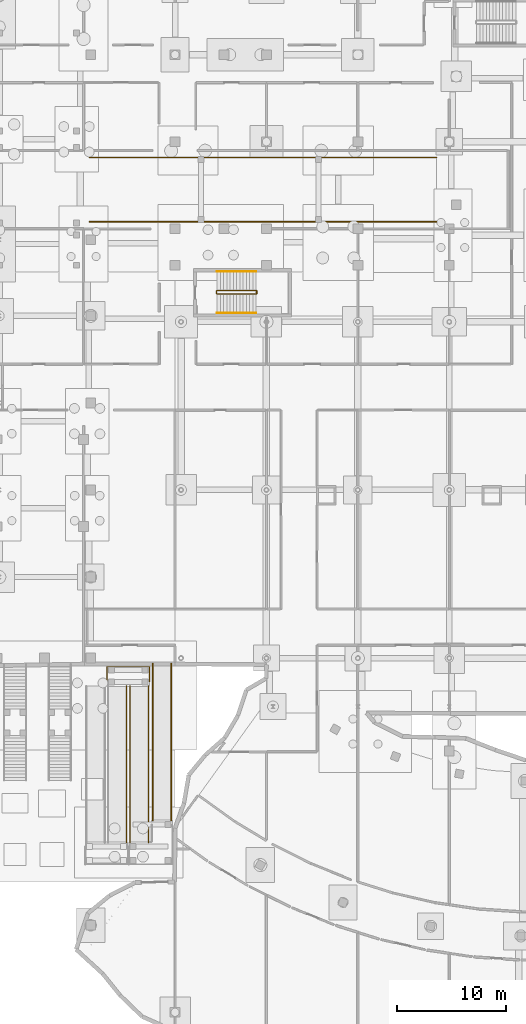
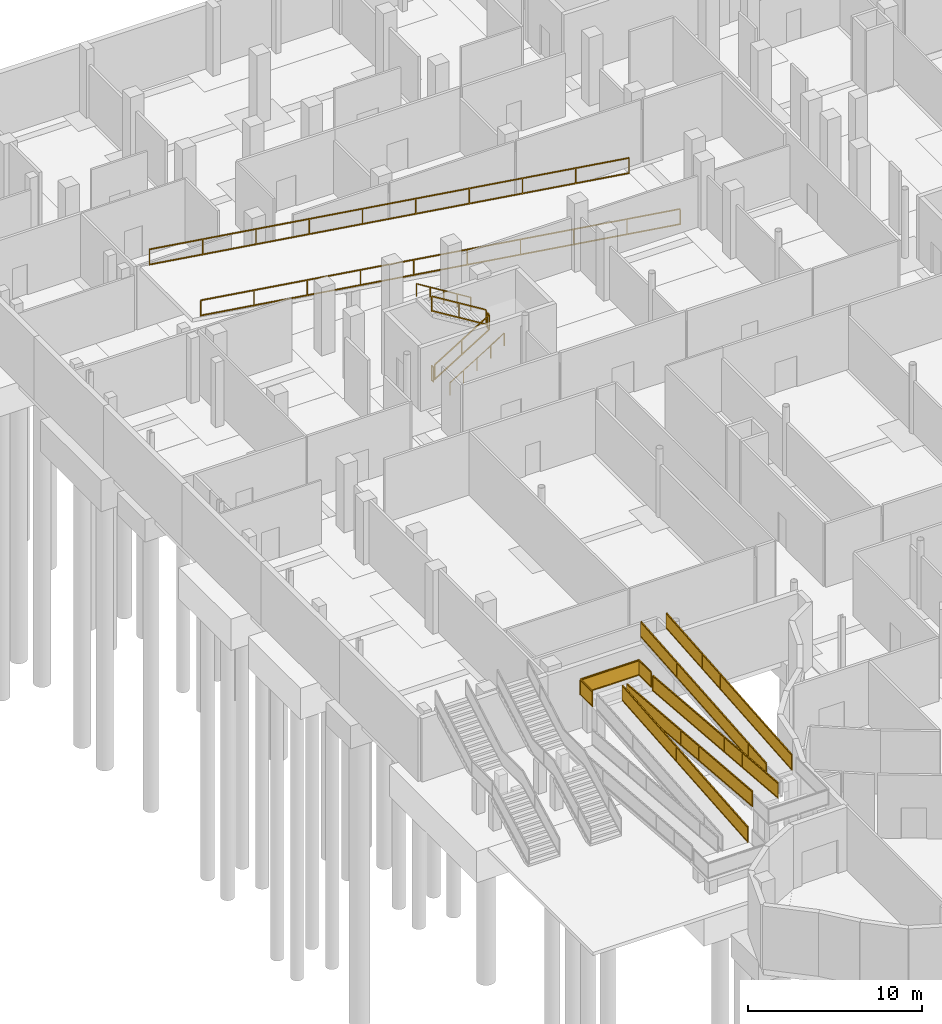
# One storey, part 42 of 45: 14 railings.
"""IFC4 building model written with IfcOpenShell, lengths in metres."""

from ifc_helpers import new_model, si_unit, direction, frame, origin, origin_2d, place, context, subcontext, project, spatial, polyline, rectangle, circle, outline, extrude, material, type_object, element, save


model = new_model("IFC4")

# Units and contexts
model_context = context("Model", 3, precision=1e-05, world=origin(), true_north=direction((0.0, 1.0)))
body_context = subcontext(model_context, "Body", "Model", "MODEL_VIEW")
ifc_project = project(units=[si_unit("LENGTHUNIT", "METRE"), si_unit("AREAUNIT", "SQUARE_METRE"), si_unit("VOLUMEUNIT", "CUBIC_METRE"), si_unit("PLANEANGLEUNIT", "RADIAN"), si_unit("MASSUNIT", "GRAM", prefix="KILO")], contexts=[model_context])

# Site, building, storey
site_placement = place(None, origin())
site = spatial("IfcSite", under=ifc_project, at=site_placement, CompositionType="ELEMENT")
building_placement = place(site_placement, origin())
building = spatial("IfcBuilding", under=site, at=building_placement, Name="Selatvlak General Hospital", CompositionType="ELEMENT")
storey_placement = place(building_placement, frame((0.0, 0.0, -4.800048828125)))
storey = spatial("IfcBuildingStorey", under=building, at=storey_placement, Name="B1", CompositionType="ELEMENT", Elevation=-4.800048828125)

# Railings
ifc_material_1 = material(Name="Stainless steel 316 perimeter guardrail", Category="steel")
railing_type_1 = type_object("IfcRailingType", Name="RAIL-GRD1", PredefinedType="GUARDRAIL", material=ifc_material_1)
railing_1_placement = place(storey_placement, frame((46.800048828125, 92.64990234375, 0.0)))
element("IfcRailing", 1, at=railing_1_placement, inside=storey, type_object=railing_type_1, Name="Vehicle ramp flight side guard S", PredefinedType="GUARDRAIL", context=body_context, shape_type="SweptSolid", body=[
    extrude(rectangle(XDim=0.068115234375, YDim=0.068115234375, at=origin_2d()), frame((-0.0029296875, 0.0, 1.1162109375), z_axis=(-0.98914515174, 0.0, 0.146941719023), x_axis=(0.0, -1.0, 0.0)), (0.0, 0.0, 1.0), 32.18359375),
    extrude(rectangle(XDim=0.068115234375, YDim=0.068115234375, at=origin_2d()), frame((-0.0029296875, 0.0, 0.049560546875), z_axis=(-0.98914515174, 0.0, 0.146941719023), x_axis=(0.0, -1.0, 0.0)), (0.0, 0.0, 1.0), 32.18359375),
    extrude(rectangle(XDim=0.055908203125, YDim=0.055908203125, at=origin_2d()), origin(), (0.0, 0.0, 1.0), 1.078857421875),
    extrude(rectangle(XDim=0.055908203125, YDim=0.055908203125, at=origin_2d()), frame((-3.537841796875, 0.0, 0.525634765625)), (0.0, 0.0, 1.0), 1.078857421875),
    extrude(rectangle(XDim=0.055908203125, YDim=0.055908203125, at=origin_2d()), frame((-7.07568359375, 0.0, 1.051025390625)), (0.0, 0.0, 1.0), 1.078857421875),
    extrude(rectangle(XDim=0.055908203125, YDim=0.055908203125, at=origin_2d()), frame((-10.61328125, 0.0, 1.57666015625)), (0.0, 0.0, 1.0), 1.078857421875),
    extrude(rectangle(XDim=0.055908203125, YDim=0.055908203125, at=origin_2d()), frame((-14.151123046875, 0.0, 2.102294921875)), (0.0, 0.0, 1.0), 1.078857421875),
    extrude(rectangle(XDim=0.055908203125, YDim=0.055908203125, at=origin_2d()), frame((-17.68896484375, 0.0, 2.627685546875)), (0.0, 0.0, 1.0), 1.078857421875),
    extrude(rectangle(XDim=0.055908203125, YDim=0.055908203125, at=origin_2d()), frame((-21.226806640625, 0.0, 3.1533203125)), (0.0, 0.0, 1.0), 1.078857421875),
    extrude(rectangle(XDim=0.055908203125, YDim=0.055908203125, at=origin_2d()), frame((-24.764404296875, 0.0, 3.678955078125)), (0.0, 0.0, 1.0), 1.078857421875),
    extrude(rectangle(XDim=0.055908203125, YDim=0.055908203125, at=origin_2d()), frame((-28.30224609375, 0.0, 4.204345703125)), (0.0, 0.0, 1.0), 1.078857421875),
    extrude(rectangle(XDim=0.055908203125, YDim=0.055908203125, at=origin_2d()), frame((-31.840087890625, 0.0, 4.72998046875)), (0.0, 0.0, 1.0), 1.078857421875),
])
railing_2_placement = place(storey_placement, frame((46.800048828125, 98.550048828125, 0.0)))
element("IfcRailing", 2, at=railing_2_placement, inside=storey, type_object=railing_type_1, Name="Vehicle ramp flight side guard N", PredefinedType="GUARDRAIL", context=body_context, shape_type="SweptSolid", body=[
    extrude(rectangle(XDim=0.068115234375, YDim=0.068115234375, at=origin_2d()), frame((-0.0029296875, 0.0, 1.1162109375), z_axis=(-0.98914515174, 0.0, 0.146941719023), x_axis=(0.0, -1.0, 0.0)), (0.0, 0.0, 1.0), 32.18359375),
    extrude(rectangle(XDim=0.068115234375, YDim=0.068115234375, at=origin_2d()), frame((-0.0029296875, 0.0, 0.049560546875), z_axis=(-0.98914515174, 0.0, 0.146941719023), x_axis=(0.0, -1.0, 0.0)), (0.0, 0.0, 1.0), 32.18359375),
    extrude(rectangle(XDim=0.055908203125, YDim=0.055908203125, at=origin_2d()), origin(), (0.0, 0.0, 1.0), 1.078857421875),
    extrude(rectangle(XDim=0.055908203125, YDim=0.055908203125, at=origin_2d()), frame((-3.537841796875, 0.0, 0.525634765625)), (0.0, 0.0, 1.0), 1.078857421875),
    extrude(rectangle(XDim=0.055908203125, YDim=0.055908203125, at=origin_2d()), frame((-7.07568359375, 0.0, 1.051025390625)), (0.0, 0.0, 1.0), 1.078857421875),
    extrude(rectangle(XDim=0.055908203125, YDim=0.055908203125, at=origin_2d()), frame((-10.61328125, 0.0, 1.57666015625)), (0.0, 0.0, 1.0), 1.078857421875),
    extrude(rectangle(XDim=0.055908203125, YDim=0.055908203125, at=origin_2d()), frame((-14.151123046875, 0.0, 2.102294921875)), (0.0, 0.0, 1.0), 1.078857421875),
    extrude(rectangle(XDim=0.055908203125, YDim=0.055908203125, at=origin_2d()), frame((-17.68896484375, 0.0, 2.627685546875)), (0.0, 0.0, 1.0), 1.078857421875),
    extrude(rectangle(XDim=0.055908203125, YDim=0.055908203125, at=origin_2d()), frame((-21.226806640625, 0.0, 3.1533203125)), (0.0, 0.0, 1.0), 1.078857421875),
    extrude(rectangle(XDim=0.055908203125, YDim=0.055908203125, at=origin_2d()), frame((-24.764404296875, 0.0, 3.678955078125)), (0.0, 0.0, 1.0), 1.078857421875),
    extrude(rectangle(XDim=0.055908203125, YDim=0.055908203125, at=origin_2d()), frame((-28.30224609375, 0.0, 4.204345703125)), (0.0, 0.0, 1.0), 1.078857421875),
    extrude(rectangle(XDim=0.055908203125, YDim=0.055908203125, at=origin_2d()), frame((-31.840087890625, 0.0, 4.72998046875)), (0.0, 0.0, 1.0), 1.078857421875),
])
ifc_material_2 = material(Name="Stainless steel 316 stair guard", Category="steel")
railing_type_2 = type_object("IfcRailingType", Name="RAIL-STG", PredefinedType="GUARDRAIL", material=ifc_material_2)
railing_3_placement = place(storey_placement, frame((26.659912109375, 86.010009765625, 0.1845703125)))
element("IfcRailing", 3, at=railing_3_placement, inside=storey, type_object=railing_type_2, Name="B1 ST-07 stair guard 1", PredefinedType="GUARDRAIL", context=body_context, shape_type="SweptSolid", body=[
    extrude(rectangle(XDim=0.068115234375, YDim=0.068115234375, at=origin_2d()), frame((0.00244140625, 0.0, 1.067626953125), z_axis=(0.851644435552, 0.0, 0.524119981868), x_axis=(0.0, 1.0, 0.0)), (0.0, 0.0, 1.0), 4.221435546875),
    extrude(rectangle(XDim=0.068115234375, YDim=0.068115234375, at=origin_2d()), frame((0.00244140625, 0.0, 0.050537109375), z_axis=(0.851644435552, 0.0, 0.524119981868), x_axis=(0.0, 1.0, 0.0)), (0.0, 0.0, 1.0), 4.221435546875),
    extrude(rectangle(XDim=0.055908203125, YDim=0.055908203125, at=origin_2d()), origin(), (0.0, 0.0, 1.0), 1.029052734375),
    extrude(rectangle(XDim=0.055908203125, YDim=0.055908203125, at=origin_2d()), frame((1.800048828125, 0.0, 1.10791015625)), (0.0, 0.0, 1.0), 1.029052734375),
    extrude(rectangle(XDim=0.055908203125, YDim=0.055908203125, at=origin_2d()), frame((3.60009765625, 0.0, 2.215576171875)), (0.0, 0.0, 1.0), 1.029052734375),
])
railing_4_placement = place(storey_placement, frame((30.31005859375, 86.06005859375, 2.400146484375)))
element("IfcRailing", 4, at=railing_4_placement, inside=storey, type_object=railing_type_2, Name="B1 ST-07 stair guard 2", PredefinedType="GUARDRAIL", context=body_context, shape_type="SweptSolid", body=[
    extrude(rectangle(XDim=0.068115234375, YDim=0.068115234375, at=origin_2d()), frame((0.0, 0.0029296875, 1.06591796875), z_axis=(0.0, 1.0, 0.0), x_axis=(-1.0, 0.0, 0.0)), (0.0, 0.0, 1.0), 0.214111328125),
    extrude(rectangle(XDim=0.068115234375, YDim=0.068115234375, at=origin_2d()), frame((0.0, 0.0029296875, 0.049072265625), z_axis=(0.0, 1.0, 0.0), x_axis=(-1.0, 0.0, 0.0)), (0.0, 0.0, 1.0), 0.214111328125),
    extrude(rectangle(XDim=0.055908203125, YDim=0.055908203125, at=origin_2d()), origin(), (0.0, 0.0, 1.0), 1.029052734375),
    extrude(rectangle(XDim=0.055908203125, YDim=0.055908203125, at=origin_2d()), frame((0.0, 0.219970703125, 0.0)), (0.0, 0.0, 1.0), 1.029052734375),
])
railing_5_placement = place(storey_placement, frame((30.260009765625, 86.330078125, 2.584716796875)))
element("IfcRailing", 5, at=railing_5_placement, inside=storey, type_object=railing_type_2, Name="B1 ST-07 stair guard 3", PredefinedType="GUARDRAIL", context=body_context, shape_type="SweptSolid", body=[
    extrude(rectangle(XDim=0.068115234375, YDim=0.068115234375, at=origin_2d()), frame((-0.00244140625, 0.0, 1.067626953125), z_axis=(-0.85167021472, 0.0, 0.524078090897), x_axis=(0.0, -1.0, 0.0)), (0.0, 0.0, 1.0), 4.22119140625),
    extrude(rectangle(XDim=0.068115234375, YDim=0.068115234375, at=origin_2d()), frame((-0.00244140625, 0.0, 0.050537109375), z_axis=(-0.85167021472, 0.0, 0.524078090897), x_axis=(0.0, -1.0, 0.0)), (0.0, 0.0, 1.0), 4.22119140625),
    extrude(rectangle(XDim=0.055908203125, YDim=0.055908203125, at=origin_2d()), origin(), (0.0, 0.0, 1.0), 1.029052734375),
    extrude(rectangle(XDim=0.055908203125, YDim=0.055908203125, at=origin_2d()), frame((-1.800048828125, 0.0, 1.107666015625)), (0.0, 0.0, 1.0), 1.029052734375),
    extrude(rectangle(XDim=0.055908203125, YDim=0.055908203125, at=origin_2d()), frame((-3.60009765625, 0.0, 2.21533203125)), (0.0, 0.0, 1.0), 1.029052734375),
])
railing_6_placement = place(storey_placement, frame((26.610107421875, 86.06005859375, 0.0)))
element("IfcRailing", 6, at=railing_6_placement, inside=storey, type_object=railing_type_2, Name="B1 ST-07 stair guard 4", PredefinedType="GUARDRAIL", context=body_context, shape_type="SweptSolid", body=[
    extrude(rectangle(XDim=0.068115234375, YDim=0.068115234375, at=origin_2d()), frame((0.0, 0.0029296875, 1.06591796875), z_axis=(0.0, 1.0, 0.0), x_axis=(-1.0, 0.0, 0.0)), (0.0, 0.0, 1.0), 0.214111328125),
    extrude(rectangle(XDim=0.068115234375, YDim=0.068115234375, at=origin_2d()), frame((0.0, 0.0029296875, 0.049072265625), z_axis=(0.0, 1.0, 0.0), x_axis=(-1.0, 0.0, 0.0)), (0.0, 0.0, 1.0), 0.214111328125),
    extrude(rectangle(XDim=0.055908203125, YDim=0.055908203125, at=origin_2d()), origin(), (0.0, 0.0, 1.0), 1.029052734375),
    extrude(rectangle(XDim=0.055908203125, YDim=0.055908203125, at=origin_2d()), frame((0.0, 0.219970703125, 0.0)), (0.0, 0.0, 1.0), 1.029052734375),
])
railing_7_placement = place(storey_placement, frame((18.35009765625, 35.60009765625, 1.199951171875)))
element("IfcRailing", 7, at=railing_7_placement, inside=storey, type_object=railing_type_2, Name="Accessible ramp RMP-ACC-02 side guard R", PredefinedType="GUARDRAIL", context=body_context, shape_type="SweptSolid", body=[
    extrude(rectangle(XDim=0.068115234375, YDim=0.068115234375, at=origin_2d()), frame((0.0, 0.0029296875, 1.086181640625), z_axis=(0.0, 0.996544592923, 0.083059462528), x_axis=(-1.0, 0.0, 0.0)), (0.0, 0.0, 1.0), 14.444091796875),
    extrude(rectangle(XDim=0.068115234375, YDim=0.068115234375, at=origin_2d()), frame((0.0, 0.0029296875, 0.04931640625), z_axis=(0.0, 0.996544592923, 0.083059462528), x_axis=(-1.0, 0.0, 0.0)), (0.0, 0.0, 1.0), 14.444091796875),
    extrude(outline(polyline([(0.0, 0.0), (14.387939453125, 1.19921875), (14.387939453125, 2.14111328125), (0.0, 0.94189453125), (0.0, 0.0)])), frame((-0.01806640625, 0.006103515625, 0.08544921875), z_axis=(1.0, 0.0, 0.0), x_axis=(0.0, 1.0, 0.0)), (0.0, 0.0, 1.0), 0.031982421875),
    extrude(rectangle(XDim=0.055908203125, YDim=0.055908203125, at=origin_2d()), origin(), (0.0, 0.0, 1.0), 1.049072265625),
    extrude(rectangle(XDim=0.055908203125, YDim=0.055908203125, at=origin_2d()), frame((0.0, 2.05712890625, 0.17138671875)), (0.0, 0.0, 1.0), 1.049072265625),
    extrude(rectangle(XDim=0.055908203125, YDim=0.055908203125, at=origin_2d()), frame((0.0, 4.1142578125, 0.343017578125)), (0.0, 0.0, 1.0), 1.049072265625),
    extrude(rectangle(XDim=0.055908203125, YDim=0.055908203125, at=origin_2d()), frame((0.0, 6.17138671875, 0.514404296875)), (0.0, 0.0, 1.0), 1.049072265625),
    extrude(rectangle(XDim=0.055908203125, YDim=0.055908203125, at=origin_2d()), frame((0.0, 8.228515625, 0.685791015625)), (0.0, 0.0, 1.0), 1.049072265625),
    extrude(rectangle(XDim=0.055908203125, YDim=0.055908203125, at=origin_2d()), frame((0.0, 10.28564453125, 0.857177734375)), (0.0, 0.0, 1.0), 1.049072265625),
    extrude(rectangle(XDim=0.055908203125, YDim=0.055908203125, at=origin_2d()), frame((0.0, 12.3427734375, 1.02880859375)), (0.0, 0.0, 1.0), 1.049072265625),
    extrude(rectangle(XDim=0.055908203125, YDim=0.055908203125, at=origin_2d()), frame((0.0, 14.39990234375, 1.2001953125)), (0.0, 0.0, 1.0), 1.049072265625),
])
railing_8_placement = place(storey_placement, frame((18.64990234375, 50.0, 2.400146484375)))
element("IfcRailing", 8, at=railing_8_placement, inside=storey, type_object=railing_type_2, Name="Accessible ramp RMP-ACC-03 side guard R", PredefinedType="GUARDRAIL", context=body_context, shape_type="SweptSolid", body=[
    extrude(rectangle(XDim=0.068115234375, YDim=0.068115234375, at=origin_2d()), frame((0.0, -0.0029296875, 1.086181640625), z_axis=(0.0, -0.996545991286, 0.083042683313), x_axis=(1.0, 0.0, 0.0)), (0.0, 0.0, 1.0), 14.44384765625),
    extrude(rectangle(XDim=0.068115234375, YDim=0.068115234375, at=origin_2d()), frame((0.0, -0.0029296875, 0.04931640625), z_axis=(0.0, -0.996545991286, 0.083042683313), x_axis=(1.0, 0.0, 0.0)), (0.0, 0.0, 1.0), 14.44384765625),
    extrude(outline(polyline([(0.0, 0.0), (14.387939453125, 1.198974609375), (14.387939453125, 2.140869140625), (0.0, 0.94189453125), (0.0, 0.0)])), frame((0.01806640625, -0.006103515625, 0.08544921875), z_axis=(-1.0, 0.0, 0.0), x_axis=(0.0, -1.0, 0.0)), (0.0, 0.0, 1.0), 0.031982421875),
    extrude(rectangle(XDim=0.055908203125, YDim=0.055908203125, at=origin_2d()), origin(), (0.0, 0.0, 1.0), 1.049072265625),
    extrude(rectangle(XDim=0.055908203125, YDim=0.055908203125, at=origin_2d()), frame((0.0, -2.05712890625, 0.17138671875)), (0.0, 0.0, 1.0), 1.049072265625),
    extrude(rectangle(XDim=0.055908203125, YDim=0.055908203125, at=origin_2d()), frame((0.0, -4.1142578125, 0.3427734375)), (0.0, 0.0, 1.0), 1.049072265625),
    extrude(rectangle(XDim=0.055908203125, YDim=0.055908203125, at=origin_2d()), frame((0.0, -6.17138671875, 0.51416015625)), (0.0, 0.0, 1.0), 1.049072265625),
    extrude(rectangle(XDim=0.055908203125, YDim=0.055908203125, at=origin_2d()), frame((0.0, -8.228515625, 0.685791015625)), (0.0, 0.0, 1.0), 1.049072265625),
    extrude(rectangle(XDim=0.055908203125, YDim=0.055908203125, at=origin_2d()), frame((0.0, -10.28564453125, 0.857177734375)), (0.0, 0.0, 1.0), 1.049072265625),
    extrude(rectangle(XDim=0.055908203125, YDim=0.055908203125, at=origin_2d()), frame((0.0, -12.3427734375, 1.028564453125)), (0.0, 0.0, 1.0), 1.049072265625),
    extrude(rectangle(XDim=0.055908203125, YDim=0.055908203125, at=origin_2d()), frame((0.0, -14.39990234375, 1.199951171875)), (0.0, 0.0, 1.0), 1.049072265625),
])
railing_9_placement = place(storey_placement, frame((20.35009765625, 50.0, 2.400146484375)))
element("IfcRailing", 9, at=railing_9_placement, inside=storey, type_object=railing_type_2, Name="Accessible ramp RMP-ACC-03 side guard L", PredefinedType="GUARDRAIL", context=body_context, shape_type="SweptSolid", body=[
    extrude(rectangle(XDim=0.068115234375, YDim=0.068115234375, at=origin_2d()), frame((0.0, -0.0029296875, 1.086181640625), z_axis=(0.0, -0.996545991286, 0.083042683313), x_axis=(1.0, 0.0, 0.0)), (0.0, 0.0, 1.0), 14.44384765625),
    extrude(rectangle(XDim=0.068115234375, YDim=0.068115234375, at=origin_2d()), frame((0.0, -0.0029296875, 0.04931640625), z_axis=(0.0, -0.996545991286, 0.083042683313), x_axis=(1.0, 0.0, 0.0)), (0.0, 0.0, 1.0), 14.44384765625),
    extrude(outline(polyline([(0.0, 0.0), (14.387939453125, 1.198974609375), (14.387939453125, 2.140869140625), (0.0, 0.94189453125), (0.0, 0.0)])), frame((0.01806640625, -0.006103515625, 0.08544921875), z_axis=(-1.0, 0.0, 0.0), x_axis=(0.0, -1.0, 0.0)), (0.0, 0.0, 1.0), 0.031982421875),
    extrude(rectangle(XDim=0.055908203125, YDim=0.055908203125, at=origin_2d()), origin(), (0.0, 0.0, 1.0), 1.049072265625),
    extrude(rectangle(XDim=0.055908203125, YDim=0.055908203125, at=origin_2d()), frame((0.0, -2.05712890625, 0.17138671875)), (0.0, 0.0, 1.0), 1.049072265625),
    extrude(rectangle(XDim=0.055908203125, YDim=0.055908203125, at=origin_2d()), frame((0.0, -4.1142578125, 0.3427734375)), (0.0, 0.0, 1.0), 1.049072265625),
    extrude(rectangle(XDim=0.055908203125, YDim=0.055908203125, at=origin_2d()), frame((0.0, -6.17138671875, 0.51416015625)), (0.0, 0.0, 1.0), 1.049072265625),
    extrude(rectangle(XDim=0.055908203125, YDim=0.055908203125, at=origin_2d()), frame((0.0, -8.228515625, 0.685791015625)), (0.0, 0.0, 1.0), 1.049072265625),
    extrude(rectangle(XDim=0.055908203125, YDim=0.055908203125, at=origin_2d()), frame((0.0, -10.28564453125, 0.857177734375)), (0.0, 0.0, 1.0), 1.049072265625),
    extrude(rectangle(XDim=0.055908203125, YDim=0.055908203125, at=origin_2d()), frame((0.0, -12.3427734375, 1.028564453125)), (0.0, 0.0, 1.0), 1.049072265625),
    extrude(rectangle(XDim=0.055908203125, YDim=0.055908203125, at=origin_2d()), frame((0.0, -14.39990234375, 1.199951171875)), (0.0, 0.0, 1.0), 1.049072265625),
])
railing_10_placement = place(storey_placement, frame((22.449951171875, 37.64501953125, 3.60009765625)))
element("IfcRailing", 10, at=railing_10_placement, inside=storey, type_object=railing_type_2, Name="Accessible ramp RMP-ACC-04 side guard R", PredefinedType="GUARDRAIL", context=body_context, shape_type="SweptSolid", body=[
    extrude(rectangle(XDim=0.068115234375, YDim=0.068115234375, at=origin_2d()), frame((0.0, 0.0029296875, 1.086181640625), z_axis=(0.0, 0.996545991286, 0.083042683313), x_axis=(-1.0, 0.0, 0.0)), (0.0, 0.0, 1.0), 14.44384765625),
    extrude(rectangle(XDim=0.068115234375, YDim=0.068115234375, at=origin_2d()), frame((0.0, 0.0029296875, 0.04931640625), z_axis=(0.0, 0.996545991286, 0.083042683313), x_axis=(-1.0, 0.0, 0.0)), (0.0, 0.0, 1.0), 14.44384765625),
    extrude(outline(polyline([(0.0, 0.0), (14.387939453125, 1.198974609375), (14.387939453125, 2.140869140625), (0.0, 0.94189453125), (0.0, 0.0)])), frame((-0.01806640625, 0.006103515625, 0.08544921875), z_axis=(1.0, 0.0, 0.0), x_axis=(0.0, 1.0, 0.0)), (0.0, 0.0, 1.0), 0.031982421875),
    extrude(rectangle(XDim=0.055908203125, YDim=0.055908203125, at=origin_2d()), origin(), (0.0, 0.0, 1.0), 1.049072265625),
    extrude(rectangle(XDim=0.055908203125, YDim=0.055908203125, at=origin_2d()), frame((0.0, 2.05712890625, 0.17138671875)), (0.0, 0.0, 1.0), 1.049072265625),
    extrude(rectangle(XDim=0.055908203125, YDim=0.055908203125, at=origin_2d()), frame((0.0, 4.1142578125, 0.3427734375)), (0.0, 0.0, 1.0), 1.049072265625),
    extrude(rectangle(XDim=0.055908203125, YDim=0.055908203125, at=origin_2d()), frame((0.0, 6.17138671875, 0.51416015625)), (0.0, 0.0, 1.0), 1.049072265625),
    extrude(rectangle(XDim=0.055908203125, YDim=0.055908203125, at=origin_2d()), frame((0.0, 8.228515625, 0.685791015625)), (0.0, 0.0, 1.0), 1.049072265625),
    extrude(rectangle(XDim=0.055908203125, YDim=0.055908203125, at=origin_2d()), frame((0.0, 10.28564453125, 0.857177734375)), (0.0, 0.0, 1.0), 1.049072265625),
    extrude(rectangle(XDim=0.055908203125, YDim=0.055908203125, at=origin_2d()), frame((0.0, 12.3427734375, 1.028564453125)), (0.0, 0.0, 1.0), 1.049072265625),
    extrude(rectangle(XDim=0.055908203125, YDim=0.055908203125, at=origin_2d()), frame((0.0, 14.39990234375, 1.199951171875)), (0.0, 0.0, 1.0), 1.049072265625),
])
railing_11_placement = place(storey_placement, frame((20.75, 37.64501953125, 3.60009765625)))
element("IfcRailing", 11, at=railing_11_placement, inside=storey, type_object=railing_type_2, Name="Accessible ramp RMP-ACC-04 side guard L", PredefinedType="GUARDRAIL", context=body_context, shape_type="SweptSolid", body=[
    extrude(rectangle(XDim=0.068115234375, YDim=0.068115234375, at=origin_2d()), frame((0.0, 0.0029296875, 1.086181640625), z_axis=(0.0, 0.996545991286, 0.083042683313), x_axis=(-1.0, 0.0, 0.0)), (0.0, 0.0, 1.0), 14.44384765625),
    extrude(rectangle(XDim=0.068115234375, YDim=0.068115234375, at=origin_2d()), frame((0.0, 0.0029296875, 0.04931640625), z_axis=(0.0, 0.996545991286, 0.083042683313), x_axis=(-1.0, 0.0, 0.0)), (0.0, 0.0, 1.0), 14.44384765625),
    extrude(outline(polyline([(0.0, 0.0), (14.387939453125, 1.198974609375), (14.387939453125, 2.140869140625), (0.0, 0.94189453125), (0.0, 0.0)])), frame((-0.01806640625, 0.006103515625, 0.08544921875), z_axis=(1.0, 0.0, 0.0), x_axis=(0.0, 1.0, 0.0)), (0.0, 0.0, 1.0), 0.031982421875),
    extrude(rectangle(XDim=0.055908203125, YDim=0.055908203125, at=origin_2d()), origin(), (0.0, 0.0, 1.0), 1.049072265625),
    extrude(rectangle(XDim=0.055908203125, YDim=0.055908203125, at=origin_2d()), frame((0.0, 2.05712890625, 0.17138671875)), (0.0, 0.0, 1.0), 1.049072265625),
    extrude(rectangle(XDim=0.055908203125, YDim=0.055908203125, at=origin_2d()), frame((0.0, 4.1142578125, 0.3427734375)), (0.0, 0.0, 1.0), 1.049072265625),
    extrude(rectangle(XDim=0.055908203125, YDim=0.055908203125, at=origin_2d()), frame((0.0, 6.17138671875, 0.51416015625)), (0.0, 0.0, 1.0), 1.049072265625),
    extrude(rectangle(XDim=0.055908203125, YDim=0.055908203125, at=origin_2d()), frame((0.0, 8.228515625, 0.685791015625)), (0.0, 0.0, 1.0), 1.049072265625),
    extrude(rectangle(XDim=0.055908203125, YDim=0.055908203125, at=origin_2d()), frame((0.0, 10.28564453125, 0.857177734375)), (0.0, 0.0, 1.0), 1.049072265625),
    extrude(rectangle(XDim=0.055908203125, YDim=0.055908203125, at=origin_2d()), frame((0.0, 12.3427734375, 1.028564453125)), (0.0, 0.0, 1.0), 1.049072265625),
    extrude(rectangle(XDim=0.055908203125, YDim=0.055908203125, at=origin_2d()), frame((0.0, 14.39990234375, 1.199951171875)), (0.0, 0.0, 1.0), 1.049072265625),
])
railing_12_placement = place(storey_placement, frame((20.449951171875, 50.368896484375, 2.400146484375)))
element("IfcRailing", 12, at=railing_12_placement, inside=storey, type_object=railing_type_2, Name="Accessible landing guard SL-ACCLND-02-1", PredefinedType="GUARDRAIL", context=body_context, shape_type="SweptSolid", body=[
    extrude(rectangle(XDim=0.068115234375, YDim=0.068115234375, at=origin_2d()), frame((0.0, 0.0029296875, 1.0859375), z_axis=(0.0, 1.0, 0.0), x_axis=(-1.0, 0.0, 0.0)), (0.0, 0.0, 1.0), 1.375244140625),
    extrude(rectangle(XDim=0.068115234375, YDim=0.068115234375, at=origin_2d()), frame((0.0, 0.0029296875, 0.049072265625), z_axis=(0.0, 1.0, 0.0), x_axis=(-1.0, 0.0, 0.0)), (0.0, 0.0, 1.0), 1.375244140625),
    extrude(outline(polyline([(0.0, 0.0), (1.369140625, 0.0), (1.369140625, 0.94189453125), (0.0, 0.94189453125), (0.0, 0.0)])), frame((-0.01806640625, 0.006103515625, 0.0849609375), z_axis=(1.0, 0.0, 0.0), x_axis=(0.0, 1.0, 0.0)), (0.0, 0.0, 1.0), 0.031982421875),
    extrude(rectangle(XDim=0.068115234375, YDim=0.068115234375, at=origin_2d()), frame((-0.0029296875, 1.381103515625, 1.0859375), z_axis=(-1.0, 0.0, 0.0), x_axis=(0.0, -1.0, 0.0)), (0.0, 0.0, 1.0), 3.89404296875),
    extrude(rectangle(XDim=0.068115234375, YDim=0.068115234375, at=origin_2d()), frame((-0.0029296875, 1.381103515625, 0.049072265625), z_axis=(-1.0, 0.0, 0.0), x_axis=(0.0, -1.0, 0.0)), (0.0, 0.0, 1.0), 3.89404296875),
    extrude(outline(polyline([(0.0, 0.0), (3.887939453125, 0.0), (3.887939453125, 0.94189453125), (0.0, 0.94189453125), (0.0, 0.0)])), frame((-0.006103515625, 1.363037109375, 0.0849609375), z_axis=(0.0, 1.0, 0.0), x_axis=(-1.0, 0.0, 0.0)), (0.0, 0.0, 1.0), 0.031982421875),
    extrude(rectangle(XDim=0.068115234375, YDim=0.068115234375, at=origin_2d()), frame((-3.89990234375, 1.378173828125, 1.0859375), z_axis=(0.0, -1.0, 0.0), x_axis=(1.0, 0.0, 0.0)), (0.0, 0.0, 1.0), 1.375244140625),
    extrude(rectangle(XDim=0.068115234375, YDim=0.068115234375, at=origin_2d()), frame((-3.89990234375, 1.378173828125, 0.049072265625), z_axis=(0.0, -1.0, 0.0), x_axis=(1.0, 0.0, 0.0)), (0.0, 0.0, 1.0), 1.375244140625),
    extrude(outline(polyline([(0.0, 0.0), (1.369140625, 0.0), (1.369140625, 0.94189453125), (0.0, 0.94189453125), (0.0, 0.0)])), frame((-3.8818359375, 1.375, 0.0849609375), z_axis=(-1.0, 0.0, 0.0), x_axis=(0.0, -1.0, 0.0)), (0.0, 0.0, 1.0), 0.031982421875),
    extrude(rectangle(XDim=0.055908203125, YDim=0.055908203125, at=origin_2d()), origin(), (0.0, 0.0, 1.0), 1.049072265625),
    extrude(rectangle(XDim=0.055908203125, YDim=0.055908203125, at=origin_2d()), frame((0.0, 1.381103515625, 0.0)), (0.0, 0.0, 1.0), 1.049072265625),
    extrude(rectangle(XDim=0.055908203125, YDim=0.055908203125, at=origin_2d()), frame((-1.949951171875, 1.381103515625, 0.0)), (0.0, 0.0, 1.0), 1.049072265625),
    extrude(rectangle(XDim=0.055908203125, YDim=0.055908203125, at=origin_2d()), frame((-3.89990234375, 1.381103515625, 0.0)), (0.0, 0.0, 1.0), 1.049072265625),
    extrude(rectangle(XDim=0.055908203125, YDim=0.055908203125, at=origin_2d()), frame((-3.89990234375, 0.0, 0.0)), (0.0, 0.0, 1.0), 1.049072265625),
])
ifc_material_3 = material(Name="Stainless steel 316 handrail", Category="steel")
railing_type_3 = type_object("IfcRailingType", Name="RAIL-STH", PredefinedType="HANDRAIL", material=ifc_material_3)
railing_13_placement = place(storey_placement, frame((26.659912109375, 84.25, 0.1845703125)))
element("IfcRailing", 13, at=railing_13_placement, inside=storey, type_object=railing_type_3, Name="B1 ST-07 stair handrail 1", PredefinedType="HANDRAIL", context=body_context, shape_type="SweptSolid", body=[
    extrude(circle(Radius=0.02392578125, at=origin_2d()), frame((0.00244140625, 0.0, 0.87744140625), z_axis=(0.851644435552, 0.0, 0.524119981868), x_axis=(0.0, 1.0, 0.0)), (0.0, 0.0, 1.0), 4.221435546875),
    extrude(circle(Radius=0.02099609375, at=origin_2d()), origin(), (0.0, 0.0, 1.0), 0.848876953125),
    extrude(circle(Radius=0.02099609375, at=origin_2d()), frame((0.89990234375, 0.0, 0.553955078125)), (0.0, 0.0, 1.0), 0.848876953125),
    extrude(circle(Radius=0.02099609375, at=origin_2d()), frame((1.800048828125, 0.0, 1.10791015625)), (0.0, 0.0, 1.0), 0.848876953125),
    extrude(circle(Radius=0.02099609375, at=origin_2d()), frame((2.7001953125, 0.0, 1.66162109375)), (0.0, 0.0, 1.0), 0.848876953125),
    extrude(circle(Radius=0.02099609375, at=origin_2d()), frame((3.60009765625, 0.0, 2.215576171875)), (0.0, 0.0, 1.0), 0.848876953125),
])
railing_14_placement = place(storey_placement, frame((30.260009765625, 88.090087890625, 2.584716796875)))
element("IfcRailing", 14, at=railing_14_placement, inside=storey, type_object=railing_type_3, Name="B1 ST-07 stair handrail 2", PredefinedType="HANDRAIL", context=body_context, shape_type="SweptSolid", body=[
    extrude(circle(Radius=0.02392578125, at=origin_2d()), frame((-0.00244140625, 0.0, 0.87744140625), z_axis=(-0.85167021472, 0.0, 0.524078090897), x_axis=(0.0, -1.0, 0.0)), (0.0, 0.0, 1.0), 4.22119140625),
    extrude(circle(Radius=0.02099609375, at=origin_2d()), origin(), (0.0, 0.0, 1.0), 0.848876953125),
    extrude(circle(Radius=0.02099609375, at=origin_2d()), frame((-0.89990234375, 0.0, 0.5537109375)), (0.0, 0.0, 1.0), 0.848876953125),
    extrude(circle(Radius=0.02099609375, at=origin_2d()), frame((-1.800048828125, 0.0, 1.107666015625)), (0.0, 0.0, 1.0), 0.848876953125),
    extrude(circle(Radius=0.02099609375, at=origin_2d()), frame((-2.7001953125, 0.0, 1.66162109375)), (0.0, 0.0, 1.0), 0.848876953125),
    extrude(circle(Radius=0.02099609375, at=origin_2d()), frame((-3.60009765625, 0.0, 2.21533203125)), (0.0, 0.0, 1.0), 0.848876953125),
])

save(model, "model.ifc")
